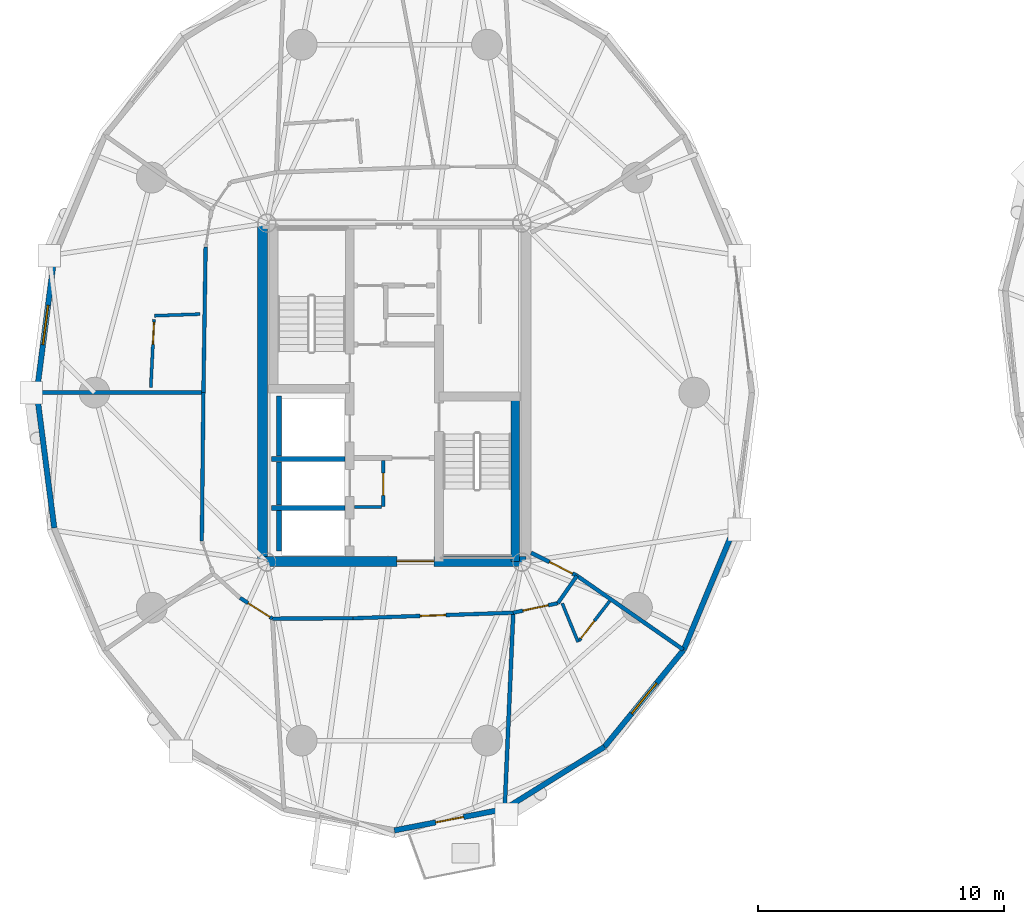
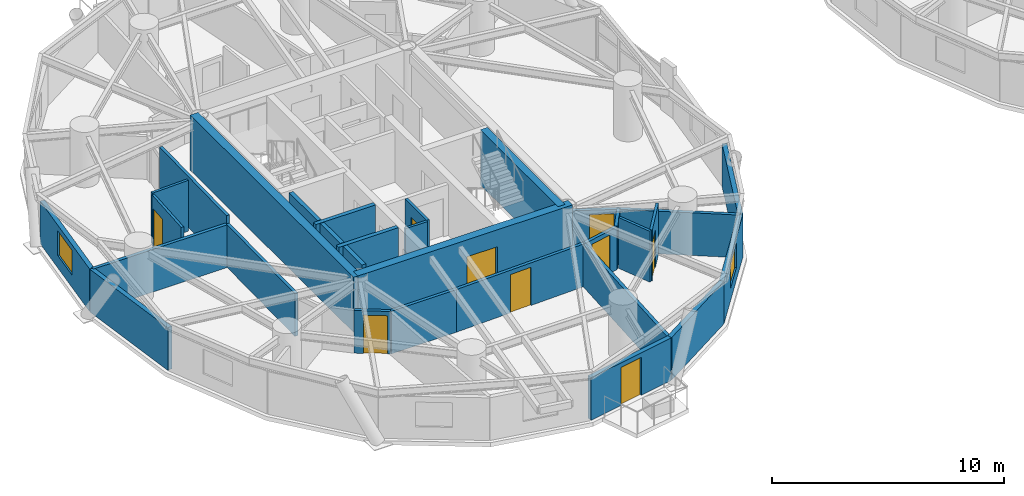
# One storey, part 10 of 19: 31 walls, 9 doors, 2 windows, 11 openings.
"""IFC4 building model written with IfcOpenShell, lengths in metres."""

from ifc_helpers import new_model, si_unit, direction, frame, frame_2d, origin, place, context, subcontext, project, spatial, rectangle, extrude, source, transform, mapped, material, layer, layer_set, type_object, element, fill, save


model = new_model("IFC4")

# Units and contexts
model_context = context("Model", 3, precision=1e-05, world=origin(), true_north=direction((0.0, 1.0)))
body_context = subcontext(model_context, "Body", "Model", "MODEL_VIEW")
ifc_project = project(units=[si_unit("LENGTHUNIT", "METRE"), si_unit("AREAUNIT", "SQUARE_METRE"), si_unit("VOLUMEUNIT", "CUBIC_METRE"), si_unit("PLANEANGLEUNIT", "RADIAN"), si_unit("MASSUNIT", "GRAM", prefix="KILO")], contexts=[model_context])

# Site, building, storey
site_placement = place(None, origin())
site = spatial("IfcSite", under=ifc_project, at=site_placement, CompositionType="ELEMENT")
building_placement = place(site_placement, origin())
building = spatial("IfcBuilding", under=site, at=building_placement, Name="Cununo Teusaquillo Station Towers", CompositionType="ELEMENT")
storey_placement = place(building_placement, frame((0.0, 0.0, 151.60009765625)))
storey = spatial("IfcBuildingStorey", under=building, at=storey_placement, Name="L47", CompositionType="ELEMENT", Elevation=151.60009765625)

# Walls
ifc_material_1 = material(Name="Concrete C50/60", Category="concrete")
ifc_layer_1 = layer(ifc_material_1, 0.199951171875)
ifc_layer_set_1 = layer_set([ifc_layer_1], Name="Concrete C50/60")
wall_type_1 = type_object("IfcWallType", Name="WL-CORE-200", PredefinedType="SHEAR", material=ifc_layer_set_1)
wall_1_placement = place(storey_placement, frame((11.52001953125, 21.800048828125, 0.0), z_axis=(0.0, 0.0, 1.0), x_axis=(1.0, 0.0, 0.0)))
element("IfcWall", 1, at=wall_1_placement, inside=storey, type_object=wall_type_1, Name="L47 Tower A Firefighting Lift Shaft South Shear Wall", PredefinedType="SHEAR", context=body_context, shape_type="SweptSolid", body=[
    extrude(rectangle(XDim=2.969970703125, YDim=0.199951171875, at=frame_2d((1.48486328125, 0.0))), origin(), (0.0, 0.0, 1.0), 2.909912109375),
])
wall_2_placement = place(storey_placement, frame((11.820068359375, 21.919921875, 0.0), z_axis=(0.0, 0.0, 1.0), x_axis=(0.0, 1.0, 0.0)))
element("IfcWall", 2, at=wall_2_placement, inside=storey, type_object=wall_type_1, Name="L47 Tower A Firefighting Lift Shaft Rear Shear Wall", PredefinedType="SHEAR", context=body_context, shape_type="SweptSolid", body=[
    extrude(rectangle(XDim=2.440185546875, YDim=0.199951171875, at=frame_2d((1.22021484375, 0.0))), origin(), (0.0, 0.0, 1.0), 2.909912109375),
])
wall_3_placement = place(storey_placement, frame((11.52001953125, 19.824951171875, 0.0), z_axis=(0.0, 0.0, 1.0), x_axis=(1.0, 0.0, 0.0)))
element("IfcWall", 3, at=wall_3_placement, inside=storey, type_object=wall_type_1, Name="L47 Tower A High-Rise Lift Hoistway Divider Shear Wall", PredefinedType="SHEAR", context=body_context, shape_type="SweptSolid", body=[
    extrude(rectangle(XDim=2.969970703125, YDim=0.199951171875, at=frame_2d((1.48486328125, 0.0))), origin(), (0.0, 0.0, 1.0), 2.909912109375),
])
wall_4_placement = place(storey_placement, frame((11.820068359375, 19.945068359375, 0.0), z_axis=(0.0, 0.0, 1.0), x_axis=(0.0, 1.0, 0.0)))
element("IfcWall", 4, at=wall_4_placement, inside=storey, type_object=wall_type_1, Name="L47 Tower A High-Rise Lift 2 Shaft Rear Shear Wall", PredefinedType="SHEAR", context=body_context, shape_type="SweptSolid", body=[
    extrude(rectangle(XDim=1.73486328125, YDim=0.199951171875, at=frame_2d((0.867431640625, 0.0))), origin(), (0.0, 0.0, 1.0), 2.909912109375),
])
wall_5_placement = place(storey_placement, frame((11.820068359375, 18.070068359375, 0.0), z_axis=(0.0, 0.0, 1.0), x_axis=(0.0, 1.0, 0.0)))
element("IfcWall", 5, at=wall_5_placement, inside=storey, type_object=wall_type_1, Name="L47 Tower A High-Rise Lift 1 Shaft Rear Shear Wall", PredefinedType="SHEAR", context=body_context, shape_type="SweptSolid", body=[
    extrude(rectangle(XDim=1.635009765625, YDim=0.199951171875, at=frame_2d((0.8173828125, 0.0))), origin(), (0.0, 0.0, 1.0), 2.909912109375),
])
ifc_material_2 = material(Name="Concrete C50/60", Category="concrete")
ifc_layer_2 = layer(ifc_material_2, 0.35009765625)
ifc_layer_set_2 = layer_set([ifc_layer_2], Name="Concrete C50/60")
wall_type_2 = type_object("IfcWallType", Name="WL-CORE-350", PredefinedType="SHEAR", material=ifc_layer_set_2)
wall_6_placement = place(storey_placement, frame((21.405029296875, 17.64990234375, 0.0), z_axis=(0.0, 0.0, 1.0), x_axis=(0.0, 1.0, 0.0)))
element("IfcWall", 6, at=wall_6_placement, inside=storey, type_object=wall_type_2, Name="L47 Tower A Core Shear Wall ST2E", PredefinedType="SHEAR", context=body_context, shape_type="SweptSolid", body=[
    extrude(rectangle(XDim=6.695068359375, YDim=0.35009765625, at=frame_2d((3.34765625, 0.0))), origin(), (0.0, 0.0, 1.0), 2.909912109375),
])
ifc_material_3 = material(Name="Concrete C50/60", Category="concrete")
ifc_layer_3 = layer(ifc_material_3, 0.39990234375)
ifc_layer_set_3 = layer_set([ifc_layer_3], Name="Concrete C50/60")
wall_type_3 = type_object("IfcWallType", Name="WL-CORE-400", PredefinedType="SHEAR", material=ifc_layer_set_3)
wall_7_placement = place(storey_placement, frame((11.14990234375, 17.449951171875, 0.0), z_axis=(0.0, 0.0, 1.0), x_axis=(0.0, 1.0, 0.0)))
element("IfcWall", 7, at=wall_7_placement, inside=storey, type_object=wall_type_3, Name="L47 Tower A Core Shear Wall W", PredefinedType="SHEAR", context=body_context, shape_type="SweptSolid", body=[
    extrude(rectangle(XDim=14.10009765625, YDim=0.39990234375, at=frame_2d((7.050048828125, 0.0))), origin(), (0.0, 0.0, 1.0), 2.909912109375),
])

# Wall, opening, door
wall_8_placement = place(storey_placement, frame((11.14990234375, 17.64990234375, 0.0), z_axis=(0.0, 0.0, 1.0), x_axis=(1.0, 0.0, 0.0)))
wall_8 = element("IfcWall", 8, at=wall_8_placement, inside=storey, type_object=wall_type_3, Name="L47 Tower A Core Shear Wall S", PredefinedType="SHEAR", context=body_context, shape_type="SweptSolid", body=[
    extrude(rectangle(XDim=10.7001953125, YDim=0.39990234375, at=frame_2d((5.35009765625, 0.0))), origin(), (0.0, 0.0, 1.0), 2.909912109375),
])
shared_shape_1 = source(origin(), body_context, "Body", "SweptSolid", [
    extrude(rectangle(XDim=1.5, YDim=2.02001953125, at=frame_2d((0.75, 1.010009765625))), frame((0.0, 0.2099609375, 0.0), z_axis=(0.0, -1.0, 0.0), x_axis=(1.0, 0.0, 0.0)), (0.0, 0.0, 1.0), 0.419921875),
])
opening_1_placement = place(wall_8_placement, frame((5.449951171875, 0.0, 0.0)))
opening_1 = element("IfcOpeningElement", 9, at=opening_1_placement, cuts=wall_8, Name="Opening D-LB1", PredefinedType="OPENING", context=body_context, shape_type="MappedRepresentation", body=[
    mapped(shared_shape_1, transform((0.0, 0.0, 0.0), x_axis=(1.0, 0.0, 0.0), y_axis=(0.0, 1.0, 0.0), z_axis=(0.0, 0.0, 1.0), scale=1.0)),
])
ifc_material_4 = material(Name="Galvanised fire-rated hollow steel door assembly", Category="steel")
door_type_1 = type_object("IfcDoorType", Name="DR-LOBBY-1500", OperationType="DOUBLE_DOOR_SINGLE_SWING", PredefinedType="DOOR", material=ifc_material_4)
shared_shape_2 = source(origin(), body_context, "Body", "SweptSolid", [
    extrude(rectangle(XDim=1.5, YDim=2.02001953125, at=frame_2d((0.75, 1.010009765625))), frame((0.0, 0.02490234375, 0.0), z_axis=(0.0, -1.0, 0.0), x_axis=(1.0, 0.0, 0.0)), (0.0, 0.0, 1.0), 0.050048828125),
])
door_1_placement = place(opening_1_placement, origin())
door_1 = element("IfcDoor", 10, at=door_1_placement, inside=storey, type_object=door_type_1, Name="L47 Tower A South Core Lift Lobby Door", OperationType="DOUBLE_DOOR_SINGLE_SWING", OverallHeight=2.02001953125, OverallWidth=1.5, PredefinedType="DOOR", context=body_context, shape_type="MappedRepresentation", body=[
    mapped(shared_shape_2, transform((0.0, 0.0, 0.0), x_axis=(1.0, 0.0, 0.0), y_axis=(0.0, 1.0, 0.0), z_axis=(0.0, 0.0, 1.0), scale=1.0)),
])
fill(opening_1, door_1)

# Wall, opening, window
ifc_material_5 = material(Name="Precast concrete C40/50", Category="concrete")
ifc_layer_4 = layer(ifc_material_5, 0.219970703125)
ifc_layer_set_4 = layer_set([ifc_layer_4], Name="Precast concrete C40/50")
wall_type_4 = type_object("IfcWallType", Name="WL-EXT-220", PredefinedType="SOLIDWALL", material=ifc_layer_set_4)
wall_9_placement = place(storey_placement, frame((1.985107421875, 24.5, 0.0), z_axis=(0.0, 0.0, 1.0), x_axis=(0.128266533912, 0.991739732126, 0.0)))
wall_9 = element("IfcWall", 11, at=wall_9_placement, inside=storey, type_object=wall_type_4, Name="L47 Tower A Exterior Facade Wall C09", PredefinedType="SOLIDWALL", context=body_context, shape_type="SweptSolid", body=[
    extrude(rectangle(XDim=5.536865234375, YDim=0.219970703125, at=frame_2d((2.7685546875, 0.0))), origin(), (0.0, 0.0, 1.0), 2.244873046875),
])
shared_shape_3 = source(origin(), body_context, "Body", "SweptSolid", [
    extrude(rectangle(XDim=1.60009765625, YDim=1.300048828125, at=frame_2d((0.800048828125, 0.64990234375))), frame((0.0, 0.119873046875, 0.0), z_axis=(0.0, -1.0, 0.0), x_axis=(1.0, 0.0, 0.0)), (0.0, 0.0, 1.0), 0.239990234375),
])
opening_2_placement = place(wall_9_placement, frame((1.968017578125, 0.0, 0.64990234375)))
opening_2 = element("IfcOpeningElement", 12, at=opening_2_placement, cuts=wall_9, Name="Opening WN-03", PredefinedType="OPENING", context=body_context, shape_type="MappedRepresentation", body=[
    mapped(shared_shape_3, transform((0.0, 0.0, 0.0), x_axis=(1.0, 0.0, 0.0), y_axis=(0.0, 1.0, 0.0), z_axis=(0.0, 0.0, 1.0), scale=1.0)),
])
ifc_material_6 = material(Name="Ceramic-fritted dark low-E double glazing", Category="glass")
window_type = type_object("IfcWindowType", Name="WIN-CORN-1600", PartitioningType="SINGLE_PANEL", PredefinedType="WINDOW", material=ifc_material_6)
shared_shape_4 = source(origin(), body_context, "Body", "SweptSolid", [
    extrude(rectangle(XDim=1.60009765625, YDim=1.300048828125, at=frame_2d((0.800048828125, 0.64990234375))), frame((0.0, 0.030029296875, 0.0), z_axis=(0.0, -1.0, 0.0), x_axis=(1.0, 0.0, 0.0)), (0.0, 0.0, 1.0), 0.06005859375),
])
window_1_placement = place(opening_2_placement, origin())
window_1 = element("IfcWindow", 13, at=window_1_placement, inside=storey, type_object=window_type, Name="L47 Tower A Facade Window C09", OverallHeight=1.300048828125, OverallWidth=1.60009765625, PartitioningType="SINGLE_PANEL", PredefinedType="WINDOW", context=body_context, shape_type="MappedRepresentation", body=[
    mapped(shared_shape_4, transform((0.0, 0.0, 0.0), x_axis=(1.0, 0.0, 0.0), y_axis=(0.0, 1.0, 0.0), z_axis=(0.0, 0.0, 1.0), scale=1.0)),
])
fill(opening_2, window_1)

# Wall
wall_10_placement = place(storey_placement, frame((2.6953125, 19.0087890625, 0.0), z_axis=(0.0, 0.0, 1.0), x_axis=(-0.128266533912, 0.991739732126, 0.0)))
element("IfcWall", 14, at=wall_10_placement, inside=storey, type_object=wall_type_4, Name="L47 Tower A Exterior Facade Wall C10", PredefinedType="SOLIDWALL", context=body_context, shape_type="SweptSolid", body=[
    extrude(rectangle(XDim=5.536865234375, YDim=0.219970703125, at=frame_2d((2.7685546875, 0.0))), origin(), (0.0, 0.0, 1.0), 2.244873046875),
])

# Wall, opening, door
wall_11_placement = place(storey_placement, frame((20.9853515625, 7.599609375, 0.0), z_axis=(0.0, 0.0, 1.0), x_axis=(-0.981718699963, -0.190337579429, 0.0)))
wall_11 = element("IfcWall", 15, at=wall_11_placement, inside=storey, type_object=wall_type_4, Name="L47 Tower A Exterior Facade Wall C15", PredefinedType="SOLIDWALL", context=body_context, shape_type="SweptSolid", body=[
    extrude(rectangle(XDim=4.56884765625, YDim=0.219970703125, at=frame_2d((2.284423828125, 0.0))), origin(), (0.0, 0.0, 1.0), 2.244873046875),
])
shared_shape_5 = source(origin(), body_context, "Body", "SweptSolid", [
    extrude(rectangle(XDim=1.14990234375, YDim=2.0048828125, at=frame_2d((0.574951171875, 1.00244140625))), frame((0.0, 0.119873046875, 0.0), z_axis=(0.0, -1.0, 0.0), x_axis=(1.0, 0.0, 0.0)), (0.0, 0.0, 1.0), 0.239990234375),
])
opening_3_placement = place(wall_11_placement, frame((1.708984375, 0.0, 0.0)))
opening_3 = element("IfcOpeningElement", 16, at=opening_3_placement, cuts=wall_11, Name="Opening ED-03", PredefinedType="OPENING", context=body_context, shape_type="MappedRepresentation", body=[
    mapped(shared_shape_5, transform((0.0, 0.0, 0.0), x_axis=(1.0, 0.0, 0.0), y_axis=(0.0, 1.0, 0.0), z_axis=(0.0, 0.0, 1.0), scale=1.0)),
])
ifc_material_7 = material(Name="Anodised dark bronze aluminium EN AW-6063-T6", Category="aluminium")
door_type_2 = type_object("IfcDoorType", Name="DR-EXT-BAL", OperationType="NOTDEFINED", PredefinedType="DOOR", material=ifc_material_7)
shared_shape_6 = source(origin(), body_context, "Body", "SweptSolid", [
    extrude(rectangle(XDim=1.14990234375, YDim=2.0048828125, at=frame_2d((0.574951171875, 1.00244140625))), frame((0.0, 0.02490234375, 0.0), z_axis=(0.0, -1.0, 0.0), x_axis=(1.0, 0.0, 0.0)), (0.0, 0.0, 1.0), 0.050048828125),
])
door_2_placement = place(opening_3_placement, origin())
door_2 = element("IfcDoor", 17, at=door_2_placement, inside=storey, type_object=door_type_2, Name="L47 Tower A Tree Balcony Door C15", OperationType="SINGLE_SWING_LEFT", OverallHeight=2.0048828125, OverallWidth=1.14990234375, PredefinedType="DOOR", context=body_context, shape_type="MappedRepresentation", body=[
    mapped(shared_shape_6, transform((0.0, 0.0, 0.0), x_axis=(1.0, 0.0, 0.0), y_axis=(0.0, 1.0, 0.0), z_axis=(0.0, 0.0, 1.0), scale=1.0)),
])
fill(opening_3, door_2)

# Wall
wall_12_placement = place(storey_placement, frame((25.03173828125, 10.123779296875, 0.0), z_axis=(0.0, 0.0, 1.0), x_axis=(-0.848452391194, -0.529271707044, 0.0)))
element("IfcWall", 18, at=wall_12_placement, inside=storey, type_object=wall_type_4, Name="L47 Tower A Exterior Facade Wall C16", PredefinedType="SOLIDWALL", context=body_context, shape_type="SweptSolid", body=[
    extrude(rectangle(XDim=4.76904296875, YDim=0.219970703125, at=frame_2d((2.384521484375, 0.0))), origin(), (0.0, 0.0, 1.0), 2.244873046875),
])

# Wall, opening, window
wall_13_placement = place(storey_placement, frame((28.242919921875, 14.05517578125, 0.0), z_axis=(0.0, 0.0, 1.0), x_axis=(-0.632598524901, -0.774479894053, 0.0)))
wall_13 = element("IfcWall", 19, at=wall_13_placement, inside=storey, type_object=wall_type_4, Name="L47 Tower A Exterior Facade Wall C17", PredefinedType="SOLIDWALL", context=body_context, shape_type="SweptSolid", body=[
    extrude(rectangle(XDim=5.076171875, YDim=0.219970703125, at=frame_2d((2.5380859375, 0.0))), origin(), (0.0, 0.0, 1.0), 2.244873046875),
])
opening_4_placement = place(wall_13_placement, frame((1.738037109375, 0.0, 0.64990234375)))
opening_4 = element("IfcOpeningElement", 20, at=opening_4_placement, cuts=wall_13, Name="Opening WN-03", PredefinedType="OPENING", context=body_context, shape_type="MappedRepresentation", body=[
    mapped(shared_shape_3, transform((0.0, 0.0, 0.0), x_axis=(1.0, 0.0, 0.0), y_axis=(0.0, 1.0, 0.0), z_axis=(0.0, 0.0, 1.0), scale=1.0)),
])
window_2_placement = place(opening_4_placement, origin())
window_2 = element("IfcWindow", 21, at=window_2_placement, inside=storey, type_object=window_type, Name="L47 Tower A Facade Window C17", OverallHeight=1.300048828125, OverallWidth=1.60009765625, PartitioningType="SINGLE_PANEL", PredefinedType="WINDOW", context=body_context, shape_type="MappedRepresentation", body=[
    mapped(shared_shape_4, transform((0.0, 0.0, 0.0), x_axis=(1.0, 0.0, 0.0), y_axis=(0.0, 1.0, 0.0), z_axis=(0.0, 0.0, 1.0), scale=1.0)),
])
fill(opening_4, window_2)

# Wall
wall_14_placement = place(storey_placement, frame((30.3046875, 19.0087890625, 0.0), z_axis=(0.0, 0.0, 1.0), x_axis=(-0.384259959969, -0.923224936386, 0.0)))
element("IfcWall", 22, at=wall_14_placement, inside=storey, type_object=wall_type_4, Name="L47 Tower A Exterior Facade Wall C18", PredefinedType="SOLIDWALL", context=body_context, shape_type="SweptSolid", body=[
    extrude(rectangle(XDim=5.365478515625, YDim=0.219970703125, at=frame_2d((2.6826171875, 0.0))), origin(), (0.0, 0.0, 1.0), 2.244873046875),
])

# Wall, opening, door
ifc_material_8 = material(Name="Fire-rated gypsum plasterboard partition assembly", Category="gypsum")
ifc_layer_5 = layer(ifc_material_8, 0.125)
ifc_layer_set_5 = layer_set([ifc_layer_5], Name="Fire-rated gypsum plasterboard partition assembly")
wall_type_5 = type_object("IfcWallType", Name="WL-PART-125", PredefinedType="PARTITIONING", material=ifc_layer_set_5)
wall_15_placement = place(storey_placement, frame((16.050048828125, 19.8798828125, 0.0), z_axis=(0.0, 0.0, 1.0), x_axis=(0.0, 1.0, 0.0)))
wall_15 = element("IfcWall", 23, at=wall_15_placement, inside=storey, type_object=wall_type_5, Name="L47 Tower A North-West Lobby Store East Wall", PredefinedType="PARTITIONING", context=body_context, shape_type="SweptSolid", body=[
    extrude(rectangle(XDim=1.8701171875, YDim=0.125, at=frame_2d((0.93505859375, 0.0))), origin(), (0.0, 0.0, 1.0), 2.6748046875),
])
shared_shape_7 = source(origin(), body_context, "Body", "SweptSolid", [
    extrude(rectangle(XDim=0.89990234375, YDim=2.0048828125, at=frame_2d((0.449951171875, 1.00244140625))), frame((0.0, 0.072509765625, 0.0), z_axis=(0.0, -1.0, 0.0), x_axis=(1.0, 0.0, 0.0)), (0.0, 0.0, 1.0), 0.14501953125),
])
opening_5_placement = place(wall_15_placement, frame((0.449951171875, 0.0, 0.0)))
opening_5 = element("IfcOpeningElement", 24, at=opening_5_placement, cuts=wall_15, Name="Opening D-SR1", PredefinedType="OPENING", context=body_context, shape_type="MappedRepresentation", body=[
    mapped(shared_shape_7, transform((0.0, 0.0, 0.0), x_axis=(1.0, 0.0, 0.0), y_axis=(0.0, 1.0, 0.0), z_axis=(0.0, 0.0, 1.0), scale=1.0)),
])
ifc_material_9 = material(Name="Galvanised fire-rated hollow steel door assembly", Category="steel")
door_type_3 = type_object("IfcDoorType", Name="DR-STORE-900", OperationType="NOTDEFINED", PredefinedType="DOOR", material=ifc_material_9)
shared_shape_8 = source(origin(), body_context, "Body", "SweptSolid", [
    extrude(rectangle(XDim=0.89990234375, YDim=2.0048828125, at=frame_2d((0.449951171875, 1.00244140625))), frame((0.0, 0.02490234375, 0.0), z_axis=(0.0, -1.0, 0.0), x_axis=(1.0, 0.0, 0.0)), (0.0, 0.0, 1.0), 0.050048828125),
])
door_3_placement = place(opening_5_placement, origin())
door_3 = element("IfcDoor", 25, at=door_3_placement, inside=storey, type_object=door_type_3, Name="L47 Tower A South Lobby Data Store Door", OperationType="SINGLE_SWING_RIGHT", OverallHeight=2.0048828125, OverallWidth=0.89990234375, PredefinedType="DOOR", context=body_context, shape_type="MappedRepresentation", body=[
    mapped(shared_shape_8, transform((0.0, 0.0, 0.0), x_axis=(1.0, 0.0, 0.0), y_axis=(0.0, 1.0, 0.0), z_axis=(0.0, 0.0, 1.0), scale=1.0)),
])
fill(opening_5, door_3)

# Walls
wall_16_placement = place(storey_placement, frame((14.8798828125, 19.85009765625, 0.0), z_axis=(0.0, 0.0, 1.0), x_axis=(1.0, 0.0, 0.0)))
element("IfcWall", 26, at=wall_16_placement, inside=storey, type_object=wall_type_5, Name="L47 Tower A North-West Lobby Store South Wall", PredefinedType="PARTITIONING", context=body_context, shape_type="SweptSolid", body=[
    extrude(rectangle(XDim=1.10009765625, YDim=0.125, at=frame_2d((0.550048828125, 0.0))), origin(), (0.0, 0.0, 1.0), 2.6748046875),
])
wall_17_placement = place(storey_placement, frame((8.60595703125, 27.6865234375, 0.0), z_axis=(0.0, 0.0, 1.0), x_axis=(-0.999349834195, -0.036054249337, 0.0)))
element("IfcWall", 27, at=wall_17_placement, inside=storey, type_object=wall_type_5, Name="L47 Tower A S04 En-suite Side Wall", PredefinedType="PARTITIONING", context=body_context, shape_type="SweptSolid", body=[
    extrude(rectangle(XDim=1.8486328125, YDim=0.125, at=frame_2d((0.92431640625, 0.0))), origin(), (0.0, 0.0, 1.0), 2.6748046875),
])

# Wall, opening, door
wall_18_placement = place(storey_placement, frame((6.75146484375, 27.475341796875, 0.0), z_axis=(0.0, 0.0, 1.0), x_axis=(-0.049591166042, -0.998769601185, 0.0)))
wall_18 = element("IfcWall", 28, at=wall_18_placement, inside=storey, type_object=wall_type_5, Name="L47 Tower A S04 En-suite Back Wall", PredefinedType="PARTITIONING", context=body_context, shape_type="SweptSolid", body=[
    extrude(rectangle(XDim=2.776611328125, YDim=0.125, at=frame_2d((1.38818359375, 0.0))), origin(), (0.0, 0.0, 1.0), 2.6748046875),
])
opening_6_placement = place(wall_18_placement, frame((0.1201171875, 0.0, 0.0)))
opening_6 = element("IfcOpeningElement", 29, at=opening_6_placement, cuts=wall_18, Name="Opening D-IN1", PredefinedType="OPENING", context=body_context, shape_type="MappedRepresentation", body=[
    mapped(shared_shape_7, transform((0.0, 0.0, 0.0), x_axis=(1.0, 0.0, 0.0), y_axis=(0.0, 1.0, 0.0), z_axis=(0.0, 0.0, 1.0), scale=1.0)),
])
ifc_material_10 = material(Name="Acoustic solid-core hardwood leaf assembly", Category="wood")
door_type_4 = type_object("IfcDoorType", Name="DR-INT-900", OperationType="NOTDEFINED", PredefinedType="DOOR", material=ifc_material_10)
door_4_placement = place(opening_6_placement, origin())
door_4 = element("IfcDoor", 30, at=door_4_placement, inside=storey, type_object=door_type_4, Name="L47 Tower A S04 En-suite Bathroom Door", OperationType="SINGLE_SWING_RIGHT", OverallHeight=2.0048828125, OverallWidth=0.89990234375, PredefinedType="DOOR", context=body_context, shape_type="MappedRepresentation", body=[
    mapped(shared_shape_8, transform((0.0, 0.0, 0.0), x_axis=(1.0, 0.0, 0.0), y_axis=(0.0, 1.0, 0.0), z_axis=(0.0, 0.0, 1.0), scale=1.0)),
])
fill(opening_6, door_4)

# Wall
wall_19_placement = place(storey_placement, frame((23.31494140625, 15.946533203125, 0.0), z_axis=(0.0, 0.0, 1.0), x_axis=(0.37920929394, -0.925310926873, 0.0)))
element("IfcWall", 31, at=wall_19_placement, inside=storey, type_object=wall_type_5, Name="L47 Tower A S08 En-suite Side Wall", PredefinedType="PARTITIONING", context=body_context, shape_type="SweptSolid", body=[
    extrude(rectangle(XDim=1.698486328125, YDim=0.125, at=frame_2d((0.84912109375, 0.0))), origin(), (0.0, 0.0, 1.0), 2.6748046875),
])

# Wall, opening, door
wall_20_placement = place(storey_placement, frame((23.997802734375, 14.42529296875, 0.0), z_axis=(0.0, 0.0, 1.0), x_axis=(0.610534539262, 0.791989631478, 0.0)))
wall_20 = element("IfcWall", 32, at=wall_20_placement, inside=storey, type_object=wall_type_5, Name="L47 Tower A S08 En-suite Back Wall", PredefinedType="PARTITIONING", context=body_context, shape_type="SweptSolid", body=[
    extrude(rectangle(XDim=2.032958984375, YDim=0.125, at=frame_2d((1.0166015625, 0.0))), origin(), (0.0, 0.0, 1.0), 2.6748046875),
])
opening_7_placement = place(wall_20_placement, frame((0.1201171875, 0.0, 0.0)))
opening_7 = element("IfcOpeningElement", 33, at=opening_7_placement, cuts=wall_20, Name="Opening D-IN1", PredefinedType="OPENING", context=body_context, shape_type="MappedRepresentation", body=[
    mapped(shared_shape_7, transform((0.0, 0.0, 0.0), x_axis=(1.0, 0.0, 0.0), y_axis=(0.0, 1.0, 0.0), z_axis=(0.0, 0.0, 1.0), scale=1.0)),
])
door_5_placement = place(opening_7_placement, origin())
door_5 = element("IfcDoor", 34, at=door_5_placement, inside=storey, type_object=door_type_4, Name="L47 Tower A S08 En-suite Bathroom Door", OperationType="SINGLE_SWING_LEFT", OverallHeight=2.0048828125, OverallWidth=0.89990234375, PredefinedType="DOOR", context=body_context, shape_type="MappedRepresentation", body=[
    mapped(shared_shape_8, transform((0.0, 0.0, 0.0), x_axis=(1.0, 0.0, 0.0), y_axis=(0.0, 1.0, 0.0), z_axis=(0.0, 0.0, 1.0), scale=1.0)),
])
fill(opening_7, door_5)

# Walls
ifc_material_11 = material(Name="Fire-rated gypsum plasterboard partition assembly", Category="gypsum")
ifc_layer_6 = layer(ifc_material_11, 0.14990234375)
ifc_layer_set_6 = layer_set([ifc_layer_6], Name="Fire-rated gypsum plasterboard partition assembly")
wall_type_6 = type_object("IfcWallType", Name="WL-PART-150", PredefinedType="PARTITIONING", material=ifc_layer_set_6)
wall_21_placement = place(storey_placement, frame((8.839599609375, 30.413818359375, 0.0), z_axis=(0.0, 0.0, 1.0), x_axis=(-0.01514915101, -0.999885245027, 0.0)))
element("IfcWall", 35, at=wall_21_placement, inside=storey, type_object=wall_type_6, Name="L47 Tower A Corridor Ring Wall C09", PredefinedType="PARTITIONING", context=body_context, shape_type="SweptSolid", body=[
    extrude(rectangle(XDim=5.91455078125, YDim=0.14990234375, at=frame_2d((2.957275390625, 0.0))), origin(), (0.0, 0.0, 1.0), 2.6748046875),
])
wall_22_placement = place(storey_placement, frame((8.75, 24.5, 0.0), z_axis=(0.0, 0.0, 1.0), x_axis=(-0.01076642715, -0.999942040344, 0.0)))
element("IfcWall", 36, at=wall_22_placement, inside=storey, type_object=wall_type_6, Name="L47 Tower A Corridor Ring Wall C10", PredefinedType="PARTITIONING", context=body_context, shape_type="SweptSolid", body=[
    extrude(rectangle(XDim=6.03173828125, YDim=0.14990234375, at=frame_2d((3.015869140625, 0.0))), origin(), (0.0, 0.0, 1.0), 2.244873046875),
])

# Wall, opening, door
wall_23_placement = place(storey_placement, frame((10.23681640625, 16.16796875, 0.0), z_axis=(0.0, 0.0, 1.0), x_axis=(0.842061223587, -0.53938195718, 0.0)))
wall_23 = element("IfcWall", 37, at=wall_23_placement, inside=storey, type_object=wall_type_6, Name="L47 Tower A Corridor Ring Wall C13", PredefinedType="PARTITIONING", context=body_context, shape_type="SweptSolid", body=[
    extrude(rectangle(XDim=1.5615234375, YDim=0.14990234375, at=frame_2d((0.78076171875, 0.0))), origin(), (0.0, 0.0, 1.0), 2.244873046875),
])
shared_shape_9 = source(origin(), body_context, "Body", "SweptSolid", [
    extrude(rectangle(XDim=1.050048828125, YDim=2.014892578125, at=frame_2d((0.52490234375, 1.00732421875))), frame((0.0, 0.0849609375, 0.0), z_axis=(0.0, -1.0, 0.0), x_axis=(1.0, 0.0, 0.0)), (0.0, 0.0, 1.0), 0.169921875),
])
opening_8_placement = place(wall_23_placement, frame((0.3916015625, 0.0, 0.0)))
opening_8 = element("IfcOpeningElement", 38, at=opening_8_placement, cuts=wall_23, Name="Opening D-SU1", PredefinedType="OPENING", context=body_context, shape_type="MappedRepresentation", body=[
    mapped(shared_shape_9, transform((0.0, 0.0, 0.0), x_axis=(1.0, 0.0, 0.0), y_axis=(0.0, 1.0, 0.0), z_axis=(0.0, 0.0, 1.0), scale=1.0)),
])
ifc_material_12 = material(Name="Acoustic solid-core hardwood leaf assembly", Category="wood")
door_type_5 = type_object("IfcDoorType", Name="DR-SUITE-1050", OperationType="NOTDEFINED", PredefinedType="DOOR", material=ifc_material_12)
shared_shape_10 = source(origin(), body_context, "Body", "SweptSolid", [
    extrude(rectangle(XDim=1.050048828125, YDim=2.014892578125, at=frame_2d((0.52490234375, 1.00732421875))), frame((0.0, 0.02490234375, 0.0), z_axis=(0.0, -1.0, 0.0), x_axis=(1.0, 0.0, 0.0)), (0.0, 0.0, 1.0), 0.050048828125),
])
door_6_placement = place(opening_8_placement, origin())
door_6 = element("IfcDoor", 39, at=door_6_placement, inside=storey, type_object=door_type_5, Name="L47 Tower A High-Altitude Tea Salon Entrance Door", OperationType="SINGLE_SWING_RIGHT", OverallHeight=2.014892578125, OverallWidth=1.050048828125, PredefinedType="DOOR", context=body_context, shape_type="MappedRepresentation", body=[
    mapped(shared_shape_10, transform((0.0, 0.0, 0.0), x_axis=(1.0, 0.0, 0.0), y_axis=(0.0, 1.0, 0.0), z_axis=(0.0, 0.0, 1.0), scale=1.0)),
])
fill(opening_8, door_6)

# Wall
wall_24_placement = place(storey_placement, frame((11.5517578125, 15.32568359375, 0.0), z_axis=(0.0, 0.0, 1.0), x_axis=(0.999989573465, 0.004566504266, 0.0)))
element("IfcWall", 40, at=wall_24_placement, inside=storey, type_object=wall_type_6, Name="L47 Tower A Corridor Ring Wall C14", PredefinedType="PARTITIONING", context=body_context, shape_type="SweptSolid", body=[
    extrude(rectangle(XDim=3.26123046875, YDim=0.14990234375, at=frame_2d((1.630615234375, 0.0))), origin(), (0.0, 0.0, 1.0), 2.244873046875),
])

# Wall, opening, door
wall_25_placement = place(storey_placement, frame((14.81298828125, 15.340576171875, 0.0), z_axis=(0.0, 0.0, 1.0), x_axis=(0.999402077819, 0.034575813105, 0.0)))
wall_25 = element("IfcWall", 41, at=wall_25_placement, inside=storey, type_object=wall_type_6, Name="L47 Tower A Corridor Ring Wall C15", PredefinedType="PARTITIONING", context=body_context, shape_type="SweptSolid", body=[
    extrude(rectangle(XDim=6.517333984375, YDim=0.14990234375, at=frame_2d((3.2587890625, 0.0))), origin(), (0.0, 0.0, 1.0), 2.244873046875),
])
opening_9_placement = place(wall_25_placement, frame((2.733642578125, 0.0, 0.0)))
opening_9 = element("IfcOpeningElement", 42, at=opening_9_placement, cuts=wall_25, Name="Opening D-SU1", PredefinedType="OPENING", context=body_context, shape_type="MappedRepresentation", body=[
    mapped(shared_shape_9, transform((0.0, 0.0, 0.0), x_axis=(1.0, 0.0, 0.0), y_axis=(0.0, 1.0, 0.0), z_axis=(0.0, 0.0, 1.0), scale=1.0)),
])
door_7_placement = place(opening_9_placement, origin())
door_7 = element("IfcDoor", 43, at=door_7_placement, inside=storey, type_object=door_type_5, Name="L47 Tower A Hotel Housekeeping & Linen Pantry Entrance Door", OperationType="SINGLE_SWING_LEFT", OverallHeight=2.014892578125, OverallWidth=1.050048828125, PredefinedType="DOOR", context=body_context, shape_type="MappedRepresentation", body=[
    mapped(shared_shape_10, transform((0.0, 0.0, 0.0), x_axis=(1.0, 0.0, 0.0), y_axis=(0.0, 1.0, 0.0), z_axis=(0.0, 0.0, 1.0), scale=1.0)),
])
fill(opening_9, door_7)

wall_26_placement = place(storey_placement, frame((21.326416015625, 15.56591796875, 0.0), z_axis=(0.0, 0.0, 1.0), x_axis=(0.977908238308, 0.209034632176, 0.0)))
wall_26 = element("IfcWall", 44, at=wall_26_placement, inside=storey, type_object=wall_type_6, Name="L47 Tower A Corridor Ring Wall C16", PredefinedType="PARTITIONING", context=body_context, shape_type="SweptSolid", body=[
    extrude(rectangle(XDim=1.854736328125, YDim=0.14990234375, at=frame_2d((0.92724609375, 0.0))), origin(), (0.0, 0.0, 1.0), 2.244873046875),
])
opening_10_placement = place(wall_26_placement, frame((0.40234375, 0.0, 0.0)))
opening_10 = element("IfcOpeningElement", 45, at=opening_10_placement, cuts=wall_26, Name="Opening D-SU1", PredefinedType="OPENING", context=body_context, shape_type="MappedRepresentation", body=[
    mapped(shared_shape_9, transform((0.0, 0.0, 0.0), x_axis=(1.0, 0.0, 0.0), y_axis=(0.0, 1.0, 0.0), z_axis=(0.0, 0.0, 1.0), scale=1.0)),
])
door_8_placement = place(opening_10_placement, origin())
door_8 = element("IfcDoor", 46, at=door_8_placement, inside=storey, type_object=door_type_5, Name="L47 Tower A Monserrate View Hotel Suite Entrance Door", OperationType="SINGLE_SWING_RIGHT", OverallHeight=2.014892578125, OverallWidth=1.050048828125, PredefinedType="DOOR", context=body_context, shape_type="MappedRepresentation", body=[
    mapped(shared_shape_10, transform((0.0, 0.0, 0.0), x_axis=(1.0, 0.0, 0.0), y_axis=(0.0, 1.0, 0.0), z_axis=(0.0, 0.0, 1.0), scale=1.0)),
])
fill(opening_10, door_8)

# Walls
wall_27_placement = place(storey_placement, frame((23.14013671875, 15.95361328125, 0.0), z_axis=(0.0, 0.0, 1.0), x_axis=(0.570699895117, 0.821158711647, 0.0)))
element("IfcWall", 47, at=wall_27_placement, inside=storey, type_object=wall_type_6, Name="L47 Tower A Corridor Ring Wall C17", PredefinedType="PARTITIONING", context=body_context, shape_type="SweptSolid", body=[
    extrude(rectangle(XDim=1.35400390625, YDim=0.14990234375, at=frame_2d((0.677001953125, 0.0))), origin(), (0.0, 0.0, 1.0), 2.244873046875),
])
ifc_material_13 = material(Name="Fire-rated gypsum plasterboard partition assembly", Category="gypsum")
ifc_layer_7 = layer(ifc_material_13, 0.159912109375)
ifc_layer_set_7 = layer_set([ifc_layer_7], Name="Fire-rated gypsum plasterboard partition assembly")
wall_type_7 = type_object("IfcWallType", Name="WL-PART-160", PredefinedType="PARTITIONING", material=ifc_layer_set_7)
wall_28_placement = place(storey_placement, frame((8.75, 24.5, 0.0), z_axis=(0.0, 0.0, 1.0), x_axis=(-1.0, 0.0, 0.0)))
element("IfcWall", 48, at=wall_28_placement, inside=storey, type_object=wall_type_7, Name="L47 Tower A Radial Suite Partition R05", PredefinedType="PARTITIONING", context=body_context, shape_type="SweptSolid", body=[
    extrude(rectangle(XDim=6.7451171875, YDim=0.159912109375, at=frame_2d((3.37255859375, 0.0))), origin(), (0.0, 0.0, 1.0), 2.244873046875),
])
wall_29_placement = place(storey_placement, frame((21.326416015625, 15.56591796875, 0.0), z_axis=(0.0, 0.0, 1.0), x_axis=(-0.043642330618, -0.999047219594, 0.0)))
element("IfcWall", 49, at=wall_29_placement, inside=storey, type_object=wall_type_7, Name="L47 Tower A Radial Suite Partition R08", PredefinedType="PARTITIONING", context=body_context, shape_type="SweptSolid", body=[
    extrude(rectangle(XDim=7.954833984375, YDim=0.159912109375, at=frame_2d((3.9775390625, 0.0))), origin(), (0.0, 0.0, 1.0), 2.244873046875),
])
wall_30_placement = place(storey_placement, frame((23.912841796875, 17.0654296875, 0.0), z_axis=(0.0, 0.0, 1.0), x_axis=(0.821126775727, -0.570745843773, 0.0)))
element("IfcWall", 50, at=wall_30_placement, inside=storey, type_object=wall_type_7, Name="L47 Tower A Radial Suite Partition R09", PredefinedType="PARTITIONING", context=body_context, shape_type="SweptSolid", body=[
    extrude(rectangle(XDim=5.253662109375, YDim=0.159912109375, at=frame_2d((2.626953125, 0.0))), origin(), (0.0, 0.0, 1.0), 2.244873046875),
])

# Wall, opening, door
wall_31_placement = place(storey_placement, frame((22.050048828125, 18.0, 0.0), z_axis=(0.0, 0.0, 1.0), x_axis=(0.893817206679, -0.448431489799, 0.0)))
wall_31 = element("IfcWall", 51, at=wall_31_placement, inside=storey, type_object=wall_type_7, Name="L47 Tower A East Salon Corridor Portal Wall SE", PredefinedType="PARTITIONING", context=body_context, shape_type="SweptSolid", body=[
    extrude(rectangle(XDim=2.083984375, YDim=0.159912109375, at=frame_2d((1.0419921875, 0.0))), origin(), (0.0, 0.0, 1.0), 2.244873046875),
])
shared_shape_11 = source(origin(), body_context, "Body", "SweptSolid", [
    extrude(rectangle(XDim=1.050048828125, YDim=2.014892578125, at=frame_2d((0.52490234375, 1.00732421875))), frame((0.0, 0.08984375, 0.0), z_axis=(0.0, -1.0, 0.0), x_axis=(1.0, 0.0, 0.0)), (0.0, 0.0, 1.0), 0.179931640625),
])
opening_11_placement = place(wall_31_placement, frame((0.834228515625, 0.0, 0.0)))
opening_11 = element("IfcOpeningElement", 52, at=opening_11_placement, cuts=wall_31, Name="Opening D-SU1", PredefinedType="OPENING", context=body_context, shape_type="MappedRepresentation", body=[
    mapped(shared_shape_11, transform((0.0, 0.0, 0.0), x_axis=(1.0, 0.0, 0.0), y_axis=(0.0, 1.0, 0.0), z_axis=(0.0, 0.0, 1.0), scale=1.0)),
])
door_9_placement = place(opening_11_placement, origin())
door_9 = element("IfcDoor", 53, at=door_9_placement, inside=storey, type_object=door_type_5, Name="L47 Tower A East Panorama Sky Salon Door SE", OperationType="SINGLE_SWING_RIGHT", OverallHeight=2.014892578125, OverallWidth=1.050048828125, PredefinedType="DOOR", context=body_context, shape_type="MappedRepresentation", body=[
    mapped(shared_shape_10, transform((0.0, 0.0, 0.0), x_axis=(1.0, 0.0, 0.0), y_axis=(0.0, 1.0, 0.0), z_axis=(0.0, 0.0, 1.0), scale=1.0)),
])
fill(opening_11, door_9)

save(model, "model.ifc")
